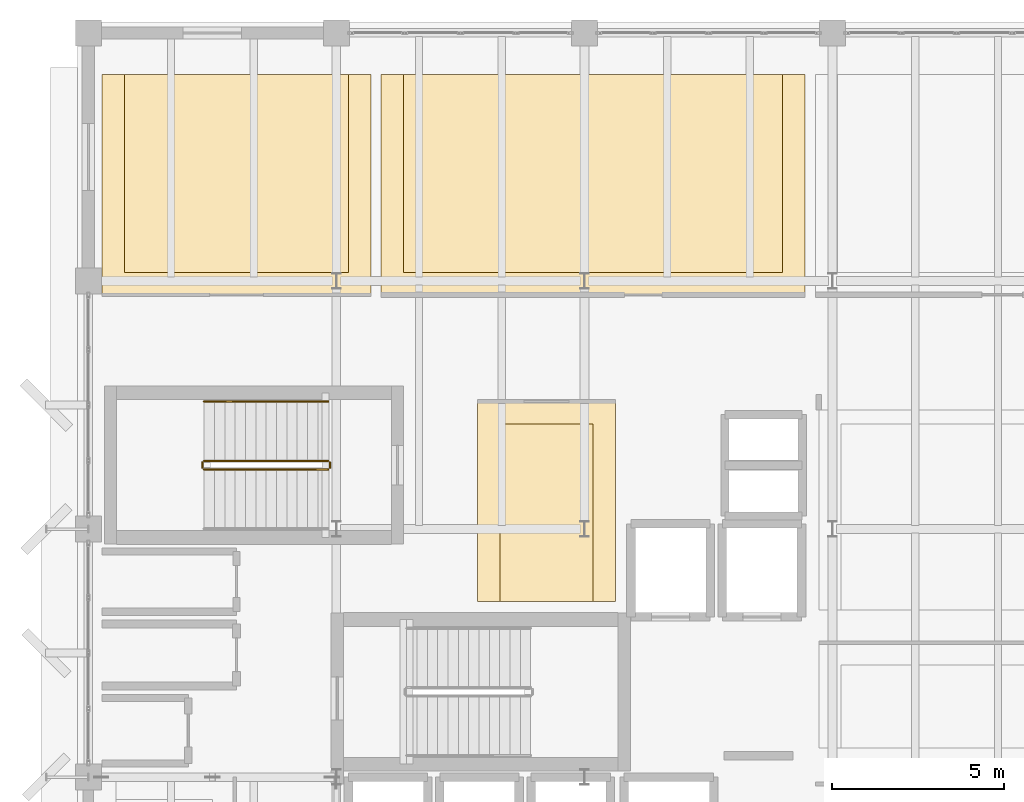
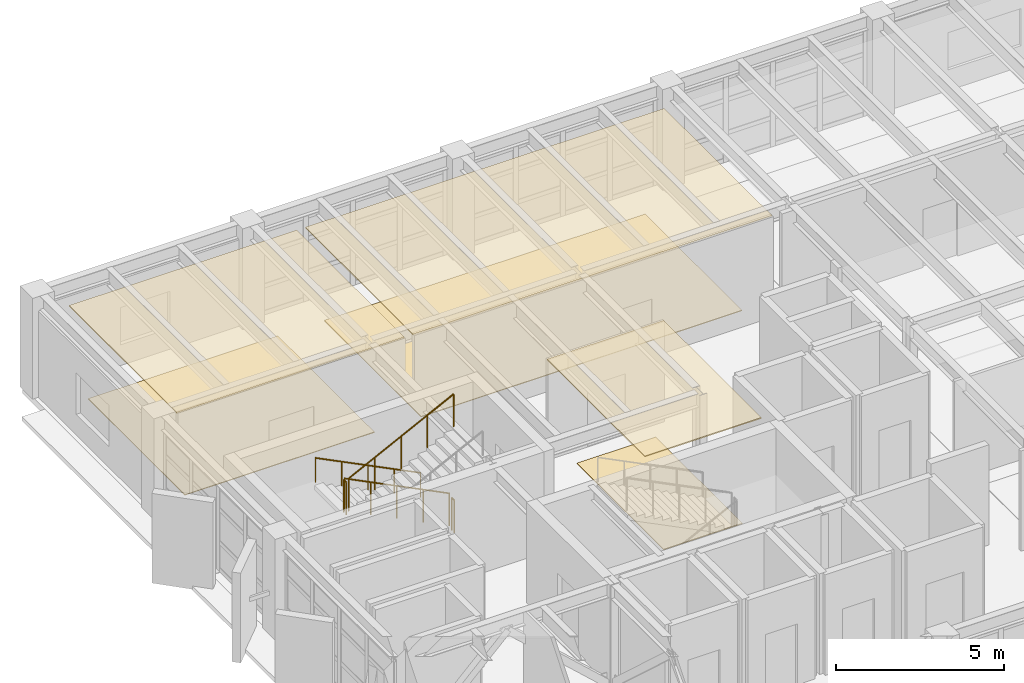
# One storey, part 23 of 24: 6 coverings, 5 railings.
"""IFC4 building model written with IfcOpenShell, lengths in metres."""

from ifc_helpers import new_model, si_unit, direction, frame, origin, origin_2d, place, context, subcontext, project, spatial, polyline, circle, outline, extrude, material, layer, layer_set, type_object, element, save


model = new_model("IFC4")

# Units and contexts
model_context = context("Model", 3, precision=1e-05, world=origin(), true_north=direction((0.0, 1.0)))
body_context = subcontext(model_context, "Body", "Model", "MODEL_VIEW")
ifc_project = project(units=[si_unit("LENGTHUNIT", "METRE"), si_unit("AREAUNIT", "SQUARE_METRE"), si_unit("VOLUMEUNIT", "CUBIC_METRE"), si_unit("PLANEANGLEUNIT", "RADIAN"), si_unit("MASSUNIT", "GRAM", prefix="KILO")], contexts=[model_context])

# Site, building, storey
site_placement = place(None, origin())
site = spatial("IfcSite", under=ifc_project, at=site_placement, CompositionType="ELEMENT")
building_placement = place(site_placement, origin())
building = spatial("IfcBuilding", under=site, at=building_placement, Name="Kandorven Conservatory and Botanical Research Centre", CompositionType="ELEMENT")
storey_placement = place(building_placement, frame((0.0, 0.0, 24.89990234375)))
storey = spatial("IfcBuildingStorey", under=building, at=storey_placement, Name="L06", CompositionType="ELEMENT", Elevation=24.89990234375)

# Coverings
ifc_material_1 = material(Name="Perforated mineral-fibre acoustic ceiling tile", Category="gypsum")
ifc_layer_1 = layer(ifc_material_1, 0.0400390625)
ifc_layer_set_1 = layer_set([ifc_layer_1], Name="Perforated mineral-fibre acoustic ceiling tile")
covering_type_1 = type_object("IfcCoveringType", Name="Cov_Ceiling_1", PredefinedType="CEILING", material=ifc_layer_set_1)
covering_1_placement = place(storey_placement, frame((0.0, 0.0, 3.590087890625)))
element("IfcCovering", 1, at=covering_1_placement, inside=storey, type_object=covering_type_1, Name="Suspended acoustic ceiling CLG-01 (Botanical Specimen Preparation Laboratory L06)", PredefinedType="CEILING", context=body_context, shape_type="SweptSolid", body=[
    extrude(outline(polyline([(17.300048828125, 18.300048828125), (21.300048828125, 18.300048828125), (21.300048828125, 24.10009765625), (17.300048828125, 24.10009765625), (17.300048828125, 18.300048828125)])), origin(), (0.0, 0.0, 1.0), 0.0400390625),
])
covering_2_placement = place(storey_placement, frame((0.0, 0.0, 3.590087890625)))
element("IfcCovering", 2, at=covering_2_placement, inside=storey, type_object=covering_type_1, Name="Suspended acoustic ceiling CLG-01 (Ethnobotany Field Specimen Studio L06)", PredefinedType="CEILING", context=body_context, shape_type="SweptSolid", body=[
    extrude(outline(polyline([(6.39990234375, 27.199951171875), (14.199951171875, 27.199951171875), (14.199951171875, 33.60009765625), (6.39990234375, 33.60009765625), (6.39990234375, 27.199951171875)])), origin(), (0.0, 0.0, 1.0), 0.0400390625),
])
covering_3_placement = place(storey_placement, frame((0.0, 0.0, 3.590087890625)))
element("IfcCovering", 3, at=covering_3_placement, inside=storey, type_object=covering_type_1, Name="Suspended acoustic ceiling CLG-01 (Genomics and Bioinformatics Laboratory L06)", PredefinedType="CEILING", context=body_context, shape_type="SweptSolid", body=[
    extrude(outline(polyline([(14.5, 27.199951171875), (26.800048828125, 27.199951171875), (26.800048828125, 33.60009765625), (14.5, 33.60009765625), (14.5, 27.199951171875)])), origin(), (0.0, 0.0, 1.0), 0.0400390625),
])
ifc_material_2 = material(Name="Honed Kota stone and epoxy laboratory flooring", Category="masonry")
ifc_layer_2 = layer(ifc_material_2, 0.02490234375)
ifc_layer_set_2 = layer_set([ifc_layer_2], Name="Honed Kota stone and epoxy laboratory flooring")
covering_type_2 = type_object("IfcCoveringType", Name="Cov_Flooring_1", PredefinedType="FLOORING", material=ifc_layer_set_2)
covering_4_placement = place(storey_placement, origin())
element("IfcCovering", 4, at=covering_4_placement, inside=storey, type_object=covering_type_2, Name="Floor finish FLR-01 (Botanical Specimen Preparation Laboratory L06)", PredefinedType="FLOORING", context=body_context, shape_type="SweptSolid", body=[
    extrude(outline(polyline([(17.949951171875, 18.300048828125), (20.64990234375, 18.300048828125), (20.64990234375, 23.449951171875), (17.949951171875, 23.449951171875), (17.949951171875, 18.300048828125)])), origin(), (0.0, 0.0, 1.0), 0.025146484375),
])
covering_5_placement = place(storey_placement, origin())
element("IfcCovering", 5, at=covering_5_placement, inside=storey, type_object=covering_type_2, Name="Floor finish FLR-01 (Ethnobotany Field Specimen Studio L06)", PredefinedType="FLOORING", context=body_context, shape_type="SweptSolid", body=[
    extrude(outline(polyline([(7.050048828125, 27.85009765625), (13.550048828125, 27.85009765625), (13.550048828125, 33.60009765625), (7.050048828125, 33.60009765625), (7.050048828125, 27.85009765625)])), origin(), (0.0, 0.0, 1.0), 0.025146484375),
])
covering_6_placement = place(storey_placement, origin())
element("IfcCovering", 6, at=covering_6_placement, inside=storey, type_object=covering_type_2, Name="Floor finish FLR-01 (Genomics and Bioinformatics Laboratory L06)", PredefinedType="FLOORING", context=body_context, shape_type="SweptSolid", body=[
    extrude(outline(polyline([(15.14990234375, 27.85009765625), (26.14990234375, 27.85009765625), (26.14990234375, 33.60009765625), (15.14990234375, 33.60009765625), (15.14990234375, 27.85009765625)])), origin(), (0.0, 0.0, 1.0), 0.025146484375),
])

# Railings
ifc_material_3 = material(Name="Steel S355 (IS 2062 E350)", Category="steel")
railing_type_1 = type_object("IfcRailingType", Name="StairGuard_1150", PredefinedType="BALUSTRADE", material=ifc_material_3)
railing_1_placement = place(storey_placement, frame((12.9599609375, 22.3798828125, 0.150146484375)))
element("IfcRailing", 7, at=railing_1_placement, inside=storey, type_object=railing_type_1, Name="L06 ST-T2 stair guard 1", PredefinedType="BALUSTRADE", context=body_context, shape_type="SweptSolid", body=[
    extrude(circle(Radius=0.02392578125, at=origin_2d()), frame((0.0, 0.0, 1.17578125), z_axis=(-0.894415058897, 0.0, 0.447237858884), x_axis=(0.0, -1.0, 0.0)), (0.0, 0.0, 1.0), 4.02490234375),
    extrude(circle(Radius=0.02099609375, at=origin_2d()), origin(), (0.0, 0.0, 1.0), 1.15185546875),
    extrude(circle(Radius=0.02099609375, at=origin_2d()), frame((-0.89990234375, 0.0, 0.449951171875)), (0.0, 0.0, 1.0), 1.15185546875),
    extrude(circle(Radius=0.02099609375, at=origin_2d()), frame((-1.7998046875, 0.0, 0.89990234375)), (0.0, 0.0, 1.0), 1.15185546875),
    extrude(circle(Radius=0.02099609375, at=origin_2d()), frame((-2.699951171875, 0.0, 1.35009765625)), (0.0, 0.0, 1.0), 1.15185546875),
    extrude(circle(Radius=0.02099609375, at=origin_2d()), frame((-3.599853515625, 0.0, 1.800048828125)), (0.0, 0.0, 1.0), 1.15185546875),
])
railing_2_placement = place(storey_placement, frame((9.31005859375, 22.330078125, 1.9501953125)))
element("IfcRailing", 8, at=railing_2_placement, inside=storey, type_object=railing_type_1, Name="L06 ST-T2 stair guard 2", PredefinedType="BALUSTRADE", context=body_context, shape_type="SweptSolid", body=[
    extrude(circle(Radius=0.02392578125, at=origin_2d()), frame((0.0, 0.0, 1.17578125), z_axis=(0.0, -1.0, 0.0), x_axis=(1.0, 0.0, 0.0)), (0.0, 0.0, 1.0), 0.150146484375),
    extrude(circle(Radius=0.02099609375, at=origin_2d()), origin(), (0.0, 0.0, 1.0), 1.15185546875),
    extrude(circle(Radius=0.02099609375, at=origin_2d()), frame((0.0, -0.150146484375, 0.0)), (0.0, 0.0, 1.0), 1.15185546875),
])
railing_3_placement = place(storey_placement, frame((9.360107421875, 22.1298828125, 2.10009765625)))
element("IfcRailing", 9, at=railing_3_placement, inside=storey, type_object=railing_type_1, Name="L06 ST-T2 stair guard 3", PredefinedType="BALUSTRADE", context=body_context, shape_type="SweptSolid", body=[
    extrude(circle(Radius=0.02392578125, at=origin_2d()), frame((0.0, 0.0, 1.17578125), z_axis=(0.894415058897, 0.0, 0.447237858884), x_axis=(0.0, 1.0, 0.0)), (0.0, 0.0, 1.0), 4.02490234375),
    extrude(circle(Radius=0.02099609375, at=origin_2d()), origin(), (0.0, 0.0, 1.0), 1.15185546875),
    extrude(circle(Radius=0.02099609375, at=origin_2d()), frame((0.89990234375, 0.0, 0.449951171875)), (0.0, 0.0, 1.0), 1.15185546875),
    extrude(circle(Radius=0.02099609375, at=origin_2d()), frame((1.7998046875, 0.0, 0.89990234375)), (0.0, 0.0, 1.0), 1.15185546875),
    extrude(circle(Radius=0.02099609375, at=origin_2d()), frame((2.699951171875, 0.0, 1.35009765625)), (0.0, 0.0, 1.0), 1.15185546875),
    extrude(circle(Radius=0.02099609375, at=origin_2d()), frame((3.599853515625, 0.0, 1.800048828125)), (0.0, 0.0, 1.0), 1.15185546875),
])
railing_4_placement = place(storey_placement, frame((13.010009765625, 22.330078125, 0.0)))
element("IfcRailing", 10, at=railing_4_placement, inside=storey, type_object=railing_type_1, Name="L06 ST-T2 stair guard 4", PredefinedType="BALUSTRADE", context=body_context, shape_type="SweptSolid", body=[
    extrude(circle(Radius=0.02392578125, at=origin_2d()), frame((0.0, 0.0, 1.17578125), z_axis=(0.0, -1.0, 0.0), x_axis=(1.0, 0.0, 0.0)), (0.0, 0.0, 1.0), 0.150146484375),
    extrude(circle(Radius=0.02099609375, at=origin_2d()), origin(), (0.0, 0.0, 1.0), 1.15185546875),
    extrude(circle(Radius=0.02099609375, at=origin_2d()), frame((0.0, -0.150146484375, 0.0)), (0.0, 0.0, 1.0), 1.15185546875),
])
ifc_material_4 = material(Name="Steel S355 (IS 2062 E350)", Category="steel")
railing_type_2 = type_object("IfcRailingType", Name="StairHandrail_900", PredefinedType="HANDRAIL", material=ifc_material_4)
railing_5_placement = place(storey_placement, frame((12.9599609375, 24.10009765625, 0.150146484375)))
element("IfcRailing", 11, at=railing_5_placement, inside=storey, type_object=railing_type_2, Name="L06 ST-T2 stair handrail 1", PredefinedType="HANDRAIL", context=body_context, shape_type="SweptSolid", body=[
    extrude(circle(Radius=0.02392578125, at=origin_2d()), frame((0.0, 0.0, 0.8759765625), z_axis=(-0.894415058897, 0.0, 0.447237858884), x_axis=(0.0, -1.0, 0.0)), (0.0, 0.0, 1.0), 4.02490234375),
    extrude(circle(Radius=0.02099609375, at=origin_2d()), origin(), (0.0, 0.0, 1.0), 0.851806640625),
    extrude(circle(Radius=0.02099609375, at=origin_2d()), frame((-0.89990234375, 0.0, 0.449951171875)), (0.0, 0.0, 1.0), 0.851806640625),
    extrude(circle(Radius=0.02099609375, at=origin_2d()), frame((-1.7998046875, 0.0, 0.89990234375)), (0.0, 0.0, 1.0), 0.851806640625),
    extrude(circle(Radius=0.02099609375, at=origin_2d()), frame((-2.699951171875, 0.0, 1.35009765625)), (0.0, 0.0, 1.0), 0.851806640625),
    extrude(circle(Radius=0.02099609375, at=origin_2d()), frame((-3.599853515625, 0.0, 1.800048828125)), (0.0, 0.0, 1.0), 0.851806640625),
])

save(model, "model.ifc")
